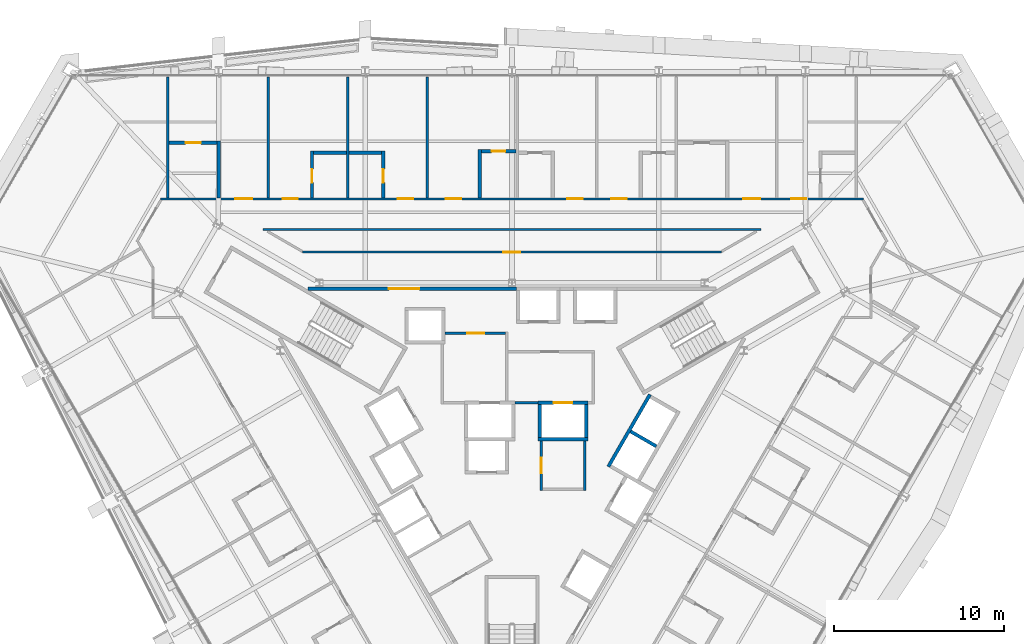
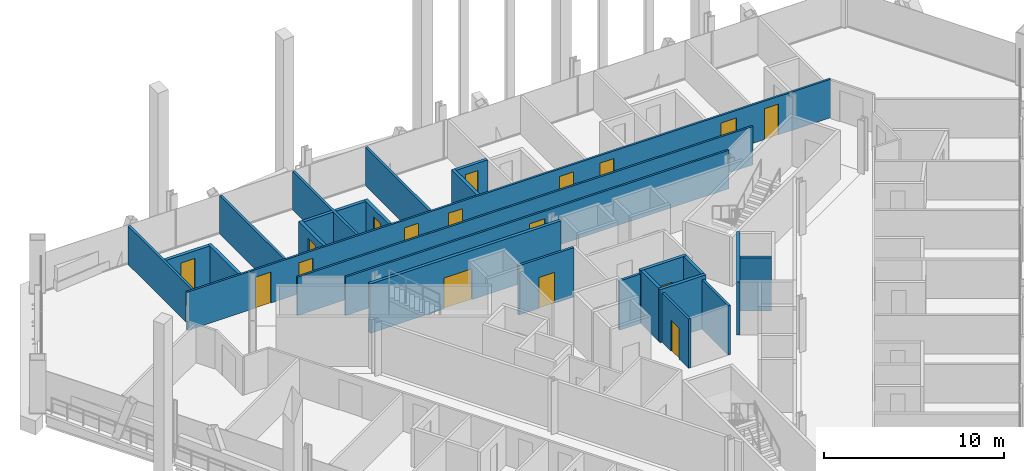
# One storey, part 14 of 19: 26 walls, 17 doors, 17 openings.
"""IFC4 building model written with IfcOpenShell, lengths in metres."""

from ifc_helpers import new_model, si_unit, direction, frame, frame_2d, origin, place, context, subcontext, project, spatial, rectangle, extrude, material, layer, layer_set, type_object, element, fill, save


model = new_model("IFC4")

# Units and contexts
model_context = context("Model", 3, precision=1e-05, world=origin(), true_north=direction((0.0, 1.0)))
body_context = subcontext(model_context, "Body", "Model", "MODEL_VIEW")
ifc_project = project(units=[si_unit("LENGTHUNIT", "METRE"), si_unit("AREAUNIT", "SQUARE_METRE"), si_unit("VOLUMEUNIT", "CUBIC_METRE"), si_unit("PLANEANGLEUNIT", "RADIAN"), si_unit("MASSUNIT", "GRAM", prefix="KILO")], contexts=[model_context])

# Site, building, storey
site_placement = place(None, origin())
site = spatial("IfcSite", under=ifc_project, at=site_placement, CompositionType="ELEMENT")
building_placement = place(site_placement, origin())
building = spatial("IfcBuilding", under=site, at=building_placement, Name="Verrane Prism Tower", CompositionType="ELEMENT")
storey_placement = place(building_placement, frame((0.0, 0.0, 76.39990234375)))
storey = spatial("IfcBuildingStorey", under=building, at=storey_placement, Name="L17", CompositionType="ELEMENT", Elevation=76.39990234375)

# Wall, opening, door
ifc_material_1 = material(Name="Gypsum board partition", Category="other")
ifc_layer_1 = layer(ifc_material_1, 0.199951171875)
ifc_layer_set_1 = layer_set([ifc_layer_1], Name="CW-200 core boundary wall 2 h")
wall_type_1 = type_object("IfcWallType", Name="CW-200 core boundary wall 2 h", PredefinedType="PARTITIONING", material=ifc_layer_set_1)
wall_1_placement = place(storey_placement, frame((0.262939453125, 8.860107421875, 0.0), z_axis=(0.0, 0.0, 1.0), x_axis=(-1.0, 0.0, 0.0)))
wall_1 = element("IfcWall", 1, at=wall_1_placement, inside=storey, type_object=wall_type_1, Name="Core boundary wall CW3-002", PredefinedType="PARTITIONING", context=body_context, shape_type="SweptSolid", body=[
    extrude(rectangle(XDim=12.25390625, YDim=0.199951171875, at=frame_2d((6.126953125, 0.0))), origin(), (0.0, 0.0, 1.0), 3.35009765625),
])
opening_1_placement = place(wall_1_placement, frame((5.708984375, 0.0, 0.0)))
opening_1 = element("IfcOpeningElement", 2, at=opening_1_placement, cuts=wall_1, Name="Opening D17511", PredefinedType="OPENING", context=body_context, shape_type="SweptSolid", body=[
    extrude(rectangle(XDim=1.800048828125, YDim=2.10009765625, at=frame_2d((0.89990234375, 1.050048828125))), frame((0.0, 0.10986328125, 0.0), z_axis=(0.0, -1.0, 0.0), x_axis=(1.0, 0.0, 0.0)), (0.0, 0.0, 1.0), 0.219970703125),
])
ifc_material_2 = material(Name="Timber veneered door leaf", Category="wood")
door_type_1 = type_object("IfcDoorType", Name="DR-1800x2100 FD60 double leaf lift lobby", OperationType="NOTDEFINED", PredefinedType="DOOR", material=ifc_material_2)
door_1_placement = place(opening_1_placement, origin())
door_1 = element("IfcDoor", 3, at=door_1_placement, inside=storey, type_object=door_type_1, Name="Lift lobby door D17511", OperationType="DOUBLE_DOOR_SINGLE_SWING", OverallHeight=2.10009765625, OverallWidth=1.800048828125, PredefinedType="DOOR", context=body_context, shape_type="SweptSolid", body=[
    extrude(rectangle(XDim=1.800048828125, YDim=2.10009765625, at=frame_2d((0.89990234375, 1.050048828125))), frame((0.0, 0.02490234375, 0.0), z_axis=(0.0, -1.0, 0.0), x_axis=(1.0, 0.0, 0.0)), (0.0, 0.0, 1.0), 0.050048828125),
])
fill(opening_1, door_1)

# Wall
ifc_material_3 = material(Name="Gypsum board shaft wall assembly", Category="other")
ifc_layer_2 = layer(ifc_material_3, 0.199951171875)
ifc_layer_set_2 = layer_set([ifc_layer_2], Name="HW-200 lift shaft wall 2 h")
wall_type_2 = type_object("IfcWallType", Name="HW-200 lift shaft wall 2 h", PredefinedType="PARTITIONING", material=ifc_layer_set_2)
wall_2_placement = place(storey_placement, frame((1.52490234375, 0.0, 0.0), z_axis=(0.0, 0.0, 1.0), x_axis=(1.0, 0.0, 0.0)))
element("IfcWall", 4, at=wall_2_placement, inside=storey, type_object=wall_type_2, Name="Lift shaft wall", PredefinedType="PARTITIONING", context=body_context, shape_type="SweptSolid", body=[
    extrude(rectangle(XDim=2.9501953125, YDim=0.199951171875, at=frame_2d((1.47509765625, 0.0))), origin(), (0.0, 0.0, 1.0), 3.60009765625),
])

# Wall, opening, door
wall_3_placement = place(storey_placement, frame((1.52490234375, 2.14990234375, 0.0), z_axis=(0.0, 0.0, 1.0), x_axis=(1.0, 0.0, 0.0)))
wall_3 = element("IfcWall", 5, at=wall_3_placement, inside=storey, type_object=wall_type_2, Name="Lift shaft wall", PredefinedType="PARTITIONING", context=body_context, shape_type="SweptSolid", body=[
    extrude(rectangle(XDim=2.9501953125, YDim=0.199951171875, at=frame_2d((1.47509765625, 0.0))), origin(), (0.0, 0.0, 1.0), 3.60009765625),
])
opening_2_placement = place(wall_3_placement, frame((0.925048828125, 0.0, 0.0)))
opening_2 = element("IfcOpeningElement", 6, at=opening_2_placement, cuts=wall_3, Name="Opening D17509", PredefinedType="OPENING", context=body_context, shape_type="SweptSolid", body=[
    extrude(rectangle(XDim=1.10009765625, YDim=2.10009765625, at=frame_2d((0.550048828125, 1.050048828125))), frame((0.0, 0.10986328125, 0.0), z_axis=(0.0, -1.0, 0.0), x_axis=(1.0, 0.0, 0.0)), (0.0, 0.0, 1.0), 0.219970703125),
])
ifc_material_4 = material(Name="Stainless steel sliding landing door", Category="steel")
door_type_2 = type_object("IfcDoorType", Name="LD-1100x2100 lift landing door FD90 sliding", OperationType="NOTDEFINED", PredefinedType="DOOR", material=ifc_material_4)
door_2_placement = place(opening_2_placement, origin())
door_2 = element("IfcDoor", 7, at=door_2_placement, inside=storey, type_object=door_type_2, Name="Fire service lift 2 landing door", OperationType="SLIDING_TO_RIGHT", OverallHeight=2.10009765625, OverallWidth=1.10009765625, PredefinedType="DOOR", context=body_context, shape_type="SweptSolid", body=[
    extrude(rectangle(XDim=1.10009765625, YDim=2.10009765625, at=frame_2d((0.550048828125, 1.050048828125))), frame((0.0, 0.02490234375, 0.0), z_axis=(0.0, -1.0, 0.0), x_axis=(1.0, 0.0, 0.0)), (0.0, 0.0, 1.0), 0.050048828125),
])
fill(opening_2, door_2)

# Walls
wall_4_placement = place(storey_placement, frame((5.66259765625, -1.6123046875, 0.0), z_axis=(0.0, 0.0, 1.0), x_axis=(0.49998122708, 0.866036242063, 0.0)))
element("IfcWall", 8, at=wall_4_placement, inside=storey, type_object=wall_type_2, Name="Lift shaft wall", PredefinedType="PARTITIONING", context=body_context, shape_type="SweptSolid", body=[
    extrude(rectangle(XDim=4.900146484375, YDim=0.199951171875, at=frame_2d((2.4501953125, 0.0))), origin(), (0.0, 0.0, 1.0), 3.60009765625),
])
for number, where, z_axis, x_axis, name in (
    (9, (4.375, 0.10009765625, 0.0), (0.0, 0.0, 1.0), (0.0, 1.0, 0.0), "Lift shaft wall"),
    (10, (1.625, 0.10009765625, 0.0), (0.0, 0.0, 1.0), (0.0, 1.0, 0.0), "Lift shaft wall"),
):
    element("IfcWall", number, at=place(storey_placement, frame(where, z_axis=z_axis, x_axis=x_axis)), inside=storey, type_object=wall_type_2, Name=name, PredefinedType="PARTITIONING", context=body_context, shape_type="SweptSolid", body=[
        extrude(rectangle(XDim=1.949951171875, YDim=0.199951171875, at=frame_2d((0.97509765625, 0.0))), origin(), (0.0, 0.0, 1.0), 3.60009765625),
    ])
wall_5_placement = place(storey_placement, frame((8.48974609375, -0.41552734375, 0.0), z_axis=(0.0, 0.0, 1.0), x_axis=(-0.866036909293, 0.499980071345, 0.0)))
element("IfcWall", 11, at=wall_5_placement, inside=storey, type_object=wall_type_2, Name="Lift shaft wall", PredefinedType="PARTITIONING", context=body_context, shape_type="SweptSolid", body=[
    extrude(rectangle(XDim=1.75, YDim=0.199951171875, at=frame_2d((0.875, 0.0))), origin(), (0.0, 0.0, 1.0), 3.60009765625),
])

# Wall, opening, door
ifc_material_5 = material(Name="Gypsum board partition", Category="other")
ifc_layer_3 = layer(ifc_material_5, 0.14990234375)
ifc_layer_set_3 = layer_set([ifc_layer_3], Name="LF-150 firefighting lobby wall 1 h")
wall_type_3 = type_object("IfcWallType", Name="LF-150 firefighting lobby wall 1 h", PredefinedType="PARTITIONING", material=ifc_layer_set_3)
wall_6_placement = place(storey_placement, frame((-3.93310546875, 6.239990234375, 0.0), z_axis=(0.0, 0.0, 1.0), x_axis=(1.0, 0.0, 0.0)))
wall_6 = element("IfcWall", 12, at=wall_6_placement, inside=storey, type_object=wall_type_3, Name="Firefighting lobby wall LF1-003", PredefinedType="PARTITIONING", context=body_context, shape_type="SweptSolid", body=[
    extrude(rectangle(XDim=3.5380859375, YDim=0.14990234375, at=frame_2d((1.76904296875, 0.0))), origin(), (0.0, 0.0, 1.0), 3.35009765625),
])
opening_3_placement = place(wall_6_placement, frame((1.300048828125, 0.0, 0.0)))
opening_3 = element("IfcOpeningElement", 13, at=opening_3_placement, cuts=wall_6, Name="Opening D17515", PredefinedType="OPENING", context=body_context, shape_type="SweptSolid", body=[
    extrude(rectangle(XDim=1.0, YDim=2.10009765625, at=frame_2d((0.5, 1.050048828125))), frame((0.0, 0.0849609375, 0.0), z_axis=(0.0, -1.0, 0.0), x_axis=(1.0, 0.0, 0.0)), (0.0, 0.0, 1.0), 0.169921875),
])
ifc_material_6 = material(Name="Timber veneered door leaf", Category="wood")
door_type_3 = type_object("IfcDoorType", Name="DR-1000x2100 FD60 single leaf firefighting lobby", OperationType="NOTDEFINED", PredefinedType="DOOR", material=ifc_material_6)
door_3_placement = place(opening_3_placement, origin())
door_3 = element("IfcDoor", 14, at=door_3_placement, inside=storey, type_object=door_type_3, Name="Firefighting lobby door D17515", OperationType="SINGLE_SWING_LEFT", OverallHeight=2.10009765625, OverallWidth=1.0, PredefinedType="DOOR", context=body_context, shape_type="SweptSolid", body=[
    extrude(rectangle(XDim=1.0, YDim=2.10009765625, at=frame_2d((0.5, 1.050048828125))), frame((0.0, 0.02490234375, 0.0), z_axis=(0.0, -1.0, 0.0), x_axis=(1.0, 0.0, 0.0)), (0.0, 0.0, 1.0), 0.050048828125),
])
fill(opening_3, door_3)

# Wall
wall_7_placement = place(storey_placement, frame((0.1669921875, 2.159912109375, 0.0), z_axis=(0.0, 0.0, 1.0), x_axis=(1.0, 0.0, 0.0)))
element("IfcWall", 15, at=wall_7_placement, inside=storey, type_object=wall_type_3, Name="Firefighting lobby wall LF1-006", PredefinedType="PARTITIONING", context=body_context, shape_type="SweptSolid", body=[
    extrude(rectangle(XDim=1.35595703125, YDim=0.14990234375, at=frame_2d((0.677978515625, 0.0))), origin(), (0.0, 0.0, 1.0), 3.35009765625),
])

# Wall, openings, doors
ifc_material_7 = material(Name="Gypsum board partition", Category="other")
ifc_layer_4 = layer(ifc_material_7, 0.125)
ifc_layer_set_4 = layer_set([ifc_layer_4], Name="PW-125 corridor wall 1 h")
wall_type_4 = type_object("IfcWallType", Name="PW-125 corridor wall 1 h", PredefinedType="PARTITIONING", material=ifc_layer_set_4)
wall_8_placement = place(storey_placement, frame((-20.66259765625, 14.136962890625, 0.0), z_axis=(0.0, 0.0, 1.0), x_axis=(1.0, 0.0, 0.0)))
wall_8 = element("IfcWall", 16, at=wall_8_placement, inside=storey, type_object=wall_type_4, Name="Corridor wall 008", PredefinedType="PARTITIONING", context=body_context, shape_type="SweptSolid", body=[
    extrude(rectangle(XDim=41.3251953125, YDim=0.125, at=frame_2d((20.66259765625, 0.0))), origin(), (0.0, 0.0, 1.0), 2.613037109375),
])
opening_4_placement = place(wall_8_placement, frame((37.070556640625, 0.0, 0.0)))
opening_4 = element("IfcOpeningElement", 17, at=opening_4_placement, cuts=wall_8, Name="Opening D17018", PredefinedType="OPENING", context=body_context, shape_type="SweptSolid", body=[
    extrude(rectangle(XDim=0.89990234375, YDim=2.10009765625, at=frame_2d((0.449951171875, 1.050048828125))), frame((0.0, 0.072509765625, 0.0), z_axis=(0.0, -1.0, 0.0), x_axis=(1.0, 0.0, 0.0)), (0.0, 0.0, 1.0), 0.14501953125),
])
opening_5_placement = place(wall_8_placement, frame((34.2724609375, 0.0, 0.0)))
opening_5 = element("IfcOpeningElement", 18, at=opening_5_placement, cuts=wall_8, Name="Opening D17020", PredefinedType="OPENING", context=body_context, shape_type="SweptSolid", body=[
    extrude(rectangle(XDim=1.0, YDim=2.10009765625, at=frame_2d((0.5, 1.050048828125))), frame((0.0, 0.072509765625, 0.0), z_axis=(0.0, -1.0, 0.0), x_axis=(1.0, 0.0, 0.0)), (0.0, 0.0, 1.0), 0.14501953125),
])
opening_6_placement = place(wall_8_placement, frame((26.49560546875, 0.0, 0.0)))
opening_6 = element("IfcOpeningElement", 19, at=opening_6_placement, cuts=wall_8, Name="Opening D17022", PredefinedType="OPENING", context=body_context, shape_type="SweptSolid", body=[
    extrude(rectangle(XDim=0.89990234375, YDim=2.10009765625, at=frame_2d((0.449951171875, 1.050048828125))), frame((0.0, 0.072509765625, 0.0), z_axis=(0.0, -1.0, 0.0), x_axis=(1.0, 0.0, 0.0)), (0.0, 0.0, 1.0), 0.14501953125),
])
opening_7_placement = place(wall_8_placement, frame((23.91748046875, 0.0, 0.0)))
opening_7 = element("IfcOpeningElement", 20, at=opening_7_placement, cuts=wall_8, Name="Opening D17024", PredefinedType="OPENING", context=body_context, shape_type="SweptSolid", body=[
    extrude(rectangle(XDim=0.89990234375, YDim=2.10009765625, at=frame_2d((0.449951171875, 1.050048828125))), frame((0.0, 0.072509765625, 0.0), z_axis=(0.0, -1.0, 0.0), x_axis=(1.0, 0.0, 0.0)), (0.0, 0.0, 1.0), 0.14501953125),
])
opening_8_placement = place(wall_8_placement, frame((16.779541015625, 0.0, 0.0)))
opening_8 = element("IfcOpeningElement", 21, at=opening_8_placement, cuts=wall_8, Name="Opening D17026", PredefinedType="OPENING", context=body_context, shape_type="SweptSolid", body=[
    extrude(rectangle(XDim=0.89990234375, YDim=2.10009765625, at=frame_2d((0.449951171875, 1.050048828125))), frame((0.0, 0.072509765625, 0.0), z_axis=(0.0, -1.0, 0.0), x_axis=(1.0, 0.0, 0.0)), (0.0, 0.0, 1.0), 0.14501953125),
])
opening_9_placement = place(wall_8_placement, frame((13.952392578125, 0.0, 0.0)))
opening_9 = element("IfcOpeningElement", 22, at=opening_9_placement, cuts=wall_8, Name="Opening D17028", PredefinedType="OPENING", context=body_context, shape_type="SweptSolid", body=[
    extrude(rectangle(XDim=0.89990234375, YDim=2.10009765625, at=frame_2d((0.449951171875, 1.050048828125))), frame((0.0, 0.072509765625, 0.0), z_axis=(0.0, -1.0, 0.0), x_axis=(1.0, 0.0, 0.0)), (0.0, 0.0, 1.0), 0.14501953125),
])
opening_10_placement = place(wall_8_placement, frame((7.174560546875, 0.0, 0.0)))
opening_10 = element("IfcOpeningElement", 23, at=opening_10_placement, cuts=wall_8, Name="Opening D17030", PredefinedType="OPENING", context=body_context, shape_type="SweptSolid", body=[
    extrude(rectangle(XDim=0.89990234375, YDim=2.10009765625, at=frame_2d((0.449951171875, 1.050048828125))), frame((0.0, 0.072509765625, 0.0), z_axis=(0.0, -1.0, 0.0), x_axis=(1.0, 0.0, 0.0)), (0.0, 0.0, 1.0), 0.14501953125),
])
opening_11_placement = place(wall_8_placement, frame((4.37646484375, 0.0, 0.0)))
opening_11 = element("IfcOpeningElement", 24, at=opening_11_placement, cuts=wall_8, Name="Opening D17032", PredefinedType="OPENING", context=body_context, shape_type="SweptSolid", body=[
    extrude(rectangle(XDim=1.0, YDim=2.10009765625, at=frame_2d((0.5, 1.050048828125))), frame((0.0, 0.072509765625, 0.0), z_axis=(0.0, -1.0, 0.0), x_axis=(1.0, 0.0, 0.0)), (0.0, 0.0, 1.0), 0.14501953125),
])
ifc_material_8 = material(Name="Timber veneered door leaf", Category="wood")
door_type_4 = type_object("IfcDoorType", Name="DR-1000x2100 FD20 single leaf unit", OperationType="NOTDEFINED", PredefinedType="DOOR", material=ifc_material_8)
door_4_placement = place(opening_5_placement, origin())
door_4 = element("IfcDoor", 25, at=door_4_placement, inside=storey, type_object=door_type_4, Name="Accessible Guest Room door", OperationType="SINGLE_SWING_RIGHT", OverallHeight=2.10009765625, OverallWidth=1.0, PredefinedType="DOOR", context=body_context, shape_type="SweptSolid", body=[
    extrude(rectangle(XDim=1.0, YDim=2.10009765625, at=frame_2d((0.5, 1.050048828125))), frame((0.0, 0.02490234375, 0.0), z_axis=(0.0, -1.0, 0.0), x_axis=(1.0, 0.0, 0.0)), (0.0, 0.0, 1.0), 0.050048828125),
])
fill(opening_5, door_4)
door_5_placement = place(opening_11_placement, origin())
door_5 = element("IfcDoor", 26, at=door_5_placement, inside=storey, type_object=door_type_4, Name="Accessible Guest Room door", OperationType="SINGLE_SWING_RIGHT", OverallHeight=2.10009765625, OverallWidth=1.0, PredefinedType="DOOR", context=body_context, shape_type="SweptSolid", body=[
    extrude(rectangle(XDim=1.0, YDim=2.10009765625, at=frame_2d((0.5, 1.050048828125))), frame((0.0, 0.02490234375, 0.0), z_axis=(0.0, -1.0, 0.0), x_axis=(1.0, 0.0, 0.0)), (0.0, 0.0, 1.0), 0.050048828125),
])
fill(opening_11, door_5)
ifc_material_9 = material(Name="Timber veneered door leaf", Category="wood")
door_type_5 = type_object("IfcDoorType", Name="DR-900x2100 FD20 single leaf unit", OperationType="NOTDEFINED", PredefinedType="DOOR", material=ifc_material_9)
door_6_placement = place(opening_4_placement, origin())
door_6 = element("IfcDoor", 27, at=door_6_placement, inside=storey, type_object=door_type_5, Name="Guest Room door", OperationType="SINGLE_SWING_RIGHT", OverallHeight=2.10009765625, OverallWidth=0.89990234375, PredefinedType="DOOR", context=body_context, shape_type="SweptSolid", body=[
    extrude(rectangle(XDim=0.89990234375, YDim=2.10009765625, at=frame_2d((0.449951171875, 1.050048828125))), frame((0.0, 0.02490234375, 0.0), z_axis=(0.0, -1.0, 0.0), x_axis=(1.0, 0.0, 0.0)), (0.0, 0.0, 1.0), 0.050048828125),
])
fill(opening_4, door_6)
door_7_placement = place(opening_6_placement, origin())
door_7 = element("IfcDoor", 28, at=door_7_placement, inside=storey, type_object=door_type_5, Name="Guest Room door", OperationType="SINGLE_SWING_RIGHT", OverallHeight=2.10009765625, OverallWidth=0.89990234375, PredefinedType="DOOR", context=body_context, shape_type="SweptSolid", body=[
    extrude(rectangle(XDim=0.89990234375, YDim=2.10009765625, at=frame_2d((0.449951171875, 1.050048828125))), frame((0.0, 0.02490234375, 0.0), z_axis=(0.0, -1.0, 0.0), x_axis=(1.0, 0.0, 0.0)), (0.0, 0.0, 1.0), 0.050048828125),
])
fill(opening_6, door_7)
door_8_placement = place(opening_7_placement, origin())
door_8 = element("IfcDoor", 29, at=door_8_placement, inside=storey, type_object=door_type_5, Name="Guest Room door", OperationType="SINGLE_SWING_RIGHT", OverallHeight=2.10009765625, OverallWidth=0.89990234375, PredefinedType="DOOR", context=body_context, shape_type="SweptSolid", body=[
    extrude(rectangle(XDim=0.89990234375, YDim=2.10009765625, at=frame_2d((0.449951171875, 1.050048828125))), frame((0.0, 0.02490234375, 0.0), z_axis=(0.0, -1.0, 0.0), x_axis=(1.0, 0.0, 0.0)), (0.0, 0.0, 1.0), 0.050048828125),
])
fill(opening_7, door_8)
door_9_placement = place(opening_8_placement, origin())
door_9 = element("IfcDoor", 30, at=door_9_placement, inside=storey, type_object=door_type_5, Name="Guest Room door", OperationType="SINGLE_SWING_RIGHT", OverallHeight=2.10009765625, OverallWidth=0.89990234375, PredefinedType="DOOR", context=body_context, shape_type="SweptSolid", body=[
    extrude(rectangle(XDim=0.89990234375, YDim=2.10009765625, at=frame_2d((0.449951171875, 1.050048828125))), frame((0.0, 0.02490234375, 0.0), z_axis=(0.0, -1.0, 0.0), x_axis=(1.0, 0.0, 0.0)), (0.0, 0.0, 1.0), 0.050048828125),
])
fill(opening_8, door_9)
door_10_placement = place(opening_9_placement, origin())
door_10 = element("IfcDoor", 31, at=door_10_placement, inside=storey, type_object=door_type_5, Name="Guest Room door", OperationType="SINGLE_SWING_RIGHT", OverallHeight=2.10009765625, OverallWidth=0.89990234375, PredefinedType="DOOR", context=body_context, shape_type="SweptSolid", body=[
    extrude(rectangle(XDim=0.89990234375, YDim=2.10009765625, at=frame_2d((0.449951171875, 1.050048828125))), frame((0.0, 0.02490234375, 0.0), z_axis=(0.0, -1.0, 0.0), x_axis=(1.0, 0.0, 0.0)), (0.0, 0.0, 1.0), 0.050048828125),
])
fill(opening_9, door_10)
door_11_placement = place(opening_10_placement, origin())
door_11 = element("IfcDoor", 32, at=door_11_placement, inside=storey, type_object=door_type_5, Name="Guest Room door", OperationType="SINGLE_SWING_RIGHT", OverallHeight=2.10009765625, OverallWidth=0.89990234375, PredefinedType="DOOR", context=body_context, shape_type="SweptSolid", body=[
    extrude(rectangle(XDim=0.89990234375, YDim=2.10009765625, at=frame_2d((0.449951171875, 1.050048828125))), frame((0.0, 0.02490234375, 0.0), z_axis=(0.0, -1.0, 0.0), x_axis=(1.0, 0.0, 0.0)), (0.0, 0.0, 1.0), 0.050048828125),
])
fill(opening_10, door_11)

# Wall
wall_9_placement = place(storey_placement, frame((-14.631591796875, 12.3369140625, 0.0), z_axis=(0.0, 0.0, 1.0), x_axis=(1.0, 0.0, 0.0)))
element("IfcWall", 33, at=wall_9_placement, inside=storey, type_object=wall_type_4, Name="Corridor wall 020", PredefinedType="PARTITIONING", context=body_context, shape_type="SweptSolid", body=[
    extrude(rectangle(XDim=29.26318359375, YDim=0.125, at=frame_2d((14.631591796875, 0.0))), origin(), (0.0, 0.0, 1.0), 2.613037109375),
])

# Wall, opening, door
wall_10_placement = place(storey_placement, frame((-12.3154296875, 11.0, 0.0), z_axis=(0.0, 0.0, 1.0), x_axis=(1.0, 0.0, 0.0)))
wall_10 = element("IfcWall", 34, at=wall_10_placement, inside=storey, type_object=wall_type_4, Name="Corridor wall 024", PredefinedType="PARTITIONING", context=body_context, shape_type="SweptSolid", body=[
    extrude(rectangle(XDim=24.630859375, YDim=0.125, at=frame_2d((12.3154296875, 0.0))), origin(), (0.0, 0.0, 1.0), 2.613037109375),
])
opening_12_placement = place(wall_10_placement, frame((11.8125, 0.0, 0.0)))
opening_12 = element("IfcOpeningElement", 35, at=opening_12_placement, cuts=wall_10, Name="Opening D17050", PredefinedType="OPENING", context=body_context, shape_type="SweptSolid", body=[
    extrude(rectangle(XDim=1.0, YDim=2.10009765625, at=frame_2d((0.5, 1.050048828125))), frame((0.0, 0.072509765625, 0.0), z_axis=(0.0, -1.0, 0.0), x_axis=(1.0, 0.0, 0.0)), (0.0, 0.0, 1.0), 0.14501953125),
])
ifc_material_10 = material(Name="Timber veneered door leaf", Category="wood")
door_type_6 = type_object("IfcDoorType", Name="DR-1000x2100 FD20 single leaf service", OperationType="NOTDEFINED", PredefinedType="DOOR", material=ifc_material_10)
door_12_placement = place(opening_12_placement, origin())
door_12 = element("IfcDoor", 36, at=door_12_placement, inside=storey, type_object=door_type_6, Name="Meeting Store door", OperationType="SINGLE_SWING_RIGHT", OverallHeight=2.10009765625, OverallWidth=1.0, PredefinedType="DOOR", context=body_context, shape_type="SweptSolid", body=[
    extrude(rectangle(XDim=1.0, YDim=2.10009765625, at=frame_2d((0.5, 1.050048828125))), frame((0.0, 0.02490234375, 0.0), z_axis=(0.0, -1.0, 0.0), x_axis=(1.0, 0.0, 0.0)), (0.0, 0.0, 1.0), 0.050048828125),
])
fill(opening_12, door_12)

# Walls
ifc_material_11 = material(Name="Gypsum board partition", Category="other")
ifc_layer_5 = layer(ifc_material_11, 0.14990234375)
ifc_layer_set_5 = layer_set([ifc_layer_5], Name="PW-150 demising wall 1 h")
wall_type_5 = type_object("IfcWallType", Name="PW-150 demising wall 1 h", PredefinedType="PARTITIONING", material=ifc_layer_set_5)
for number, where, z_axis, x_axis, name in (
    (37, (-20.236083984375, 14.199462890625, 0.0), (0.0, 0.0, 1.0), (0.0, 1.0, 0.0), "Demising wall 009"),
    (38, (-14.337890625, 14.199462890625, 0.0), (0.0, 0.0, 1.0), (0.0, 1.0, 0.0), "Demising wall 021"),
    (39, (-9.659912109375, 14.199462890625, 0.0), (0.0, 0.0, 1.0), (0.0, 1.0, 0.0), "Demising wall 031"),
    (40, (-4.98291015625, 14.199462890625, 0.0), (0.0, 0.0, 1.0), (0.0, 1.0, 0.0), "Demising wall 040"),
):
    element("IfcWall", number, at=place(storey_placement, frame(where, z_axis=z_axis, x_axis=x_axis)), inside=storey, type_object=wall_type_5, Name=name, PredefinedType="PARTITIONING", context=body_context, shape_type="SweptSolid", body=[
        extrude(rectangle(XDim=7.095458984375, YDim=0.14990234375, at=frame_2d((3.5478515625, 0.0))), origin(), (0.0, 0.0, 1.0), 2.613037109375),
    ])

# Wall, opening, door
ifc_material_12 = material(Name="Gypsum board partition", Category="other")
ifc_layer_6 = layer(ifc_material_12, 0.199951171875)
ifc_layer_set_6 = layer_set([ifc_layer_6], Name="PW-200 plumbing wall")
wall_type_6 = type_object("IfcWallType", Name="PW-200 plumbing wall", PredefinedType="PARTITIONING", material=ifc_layer_set_6)
wall_11_placement = place(storey_placement, frame((-17.3359375, 17.43701171875, 0.0), z_axis=(0.0, 0.0, 1.0), x_axis=(-1.0, 0.0, 0.0)))
wall_11 = element("IfcWall", 41, at=wall_11_placement, inside=storey, type_object=wall_type_6, Name="Plumbing wall 010", PredefinedType="PARTITIONING", context=body_context, shape_type="SweptSolid", body=[
    extrude(rectangle(XDim=2.824951171875, YDim=0.199951171875, at=frame_2d((1.41259765625, 0.0))), origin(), (0.0, 0.0, 1.0), 2.613037109375),
])
opening_13_placement = place(wall_11_placement, frame((0.949951171875, 0.0, 0.0)))
opening_13 = element("IfcOpeningElement", 42, at=opening_13_placement, cuts=wall_11, Name="Opening D17033", PredefinedType="OPENING", context=body_context, shape_type="SweptSolid", body=[
    extrude(rectangle(XDim=0.89990234375, YDim=2.10009765625, at=frame_2d((0.449951171875, 1.050048828125))), frame((0.0, 0.10986328125, 0.0), z_axis=(0.0, -1.0, 0.0), x_axis=(1.0, 0.0, 0.0)), (0.0, 0.0, 1.0), 0.219970703125),
])
ifc_material_13 = material(Name="Timber veneered door leaf", Category="wood")
door_type_7 = type_object("IfcDoorType", Name="DR-900x2100 single leaf bath", OperationType="NOTDEFINED", PredefinedType="DOOR", material=ifc_material_13)
door_13_placement = place(opening_13_placement, origin())
door_13 = element("IfcDoor", 43, at=door_13_placement, inside=storey, type_object=door_type_7, Name="En-Suite door", OperationType="SINGLE_SWING_RIGHT", OverallHeight=2.10009765625, OverallWidth=0.89990234375, PredefinedType="DOOR", context=body_context, shape_type="SweptSolid", body=[
    extrude(rectangle(XDim=0.89990234375, YDim=2.10009765625, at=frame_2d((0.449951171875, 1.050048828125))), frame((0.0, 0.02490234375, 0.0), z_axis=(0.0, -1.0, 0.0), x_axis=(1.0, 0.0, 0.0)), (0.0, 0.0, 1.0), 0.050048828125),
])
fill(opening_13, door_13)

# Wall
wall_12_placement = place(storey_placement, frame((-17.236083984375, 14.199462890625, 0.0), z_axis=(0.0, 0.0, 1.0), x_axis=(0.0, 1.0, 0.0)))
element("IfcWall", 44, at=wall_12_placement, inside=storey, type_object=wall_type_6, Name="Plumbing wall 014", PredefinedType="PARTITIONING", context=body_context, shape_type="SweptSolid", body=[
    extrude(rectangle(XDim=3.337646484375, YDim=0.199951171875, at=frame_2d((1.6689453125, 0.0))), origin(), (0.0, 0.0, 1.0), 2.613037109375),
])

# Wall, opening, door
wall_13_placement = place(storey_placement, frame((-11.760009765625, 16.93701171875, 0.0), z_axis=(0.0, 0.0, 1.0), x_axis=(0.0, -1.0, 0.0)))
wall_13 = element("IfcWall", 45, at=wall_13_placement, inside=storey, type_object=wall_type_6, Name="Plumbing wall 025", PredefinedType="PARTITIONING", context=body_context, shape_type="SweptSolid", body=[
    extrude(rectangle(XDim=2.737548828125, YDim=0.199951171875, at=frame_2d((1.36865234375, 0.0))), origin(), (0.0, 0.0, 1.0), 2.613037109375),
])
opening_14_placement = place(wall_13_placement, frame((1.050048828125, 0.0, 0.0)))
opening_14 = element("IfcOpeningElement", 46, at=opening_14_placement, cuts=wall_13, Name="Opening D17031", PredefinedType="OPENING", context=body_context, shape_type="SweptSolid", body=[
    extrude(rectangle(XDim=0.800048828125, YDim=2.10009765625, at=frame_2d((0.39990234375, 1.050048828125))), frame((0.0, 0.10986328125, 0.0), z_axis=(0.0, -1.0, 0.0), x_axis=(1.0, 0.0, 0.0)), (0.0, 0.0, 1.0), 0.219970703125),
])
ifc_material_14 = material(Name="Timber veneered door leaf", Category="wood")
door_type_8 = type_object("IfcDoorType", Name="DR-800x2100 single leaf bath", OperationType="NOTDEFINED", PredefinedType="DOOR", material=ifc_material_14)
door_14_placement = place(opening_14_placement, origin())
door_14 = element("IfcDoor", 47, at=door_14_placement, inside=storey, type_object=door_type_8, Name="En-Suite door", OperationType="SINGLE_SWING_RIGHT", OverallHeight=2.10009765625, OverallWidth=0.800048828125, PredefinedType="DOOR", context=body_context, shape_type="SweptSolid", body=[
    extrude(rectangle(XDim=0.800048828125, YDim=2.10009765625, at=frame_2d((0.39990234375, 1.050048828125))), frame((0.0, 0.02490234375, 0.0), z_axis=(0.0, -1.0, 0.0), x_axis=(1.0, 0.0, 0.0)), (0.0, 0.0, 1.0), 0.050048828125),
])
fill(opening_14, door_14)

# Walls
wall_14_placement = place(storey_placement, frame((-11.659912109375, 16.8369140625, 0.0), z_axis=(0.0, 0.0, 1.0), x_axis=(1.0, 0.0, 0.0)))
element("IfcWall", 48, at=wall_14_placement, inside=storey, type_object=wall_type_6, Name="Plumbing wall 026", PredefinedType="PARTITIONING", context=body_context, shape_type="SweptSolid", body=[
    extrude(rectangle(XDim=1.919921875, YDim=0.199951171875, at=frame_2d((0.9599609375, 0.0))), origin(), (0.0, 0.0, 1.0), 2.613037109375),
])
wall_15_placement = place(storey_placement, frame((-9.580078125, 16.8369140625, 0.0), z_axis=(0.0, 0.0, 1.0), x_axis=(1.0, 0.0, 0.0)))
element("IfcWall", 49, at=wall_15_placement, inside=storey, type_object=wall_type_6, Name="Plumbing wall 032", PredefinedType="PARTITIONING", context=body_context, shape_type="SweptSolid", body=[
    extrude(rectangle(XDim=1.920166015625, YDim=0.199951171875, at=frame_2d((0.9599609375, 0.0))), origin(), (0.0, 0.0, 1.0), 2.613037109375),
])

# Wall, opening, door
wall_16_placement = place(storey_placement, frame((-7.56005859375, 14.199462890625, 0.0), z_axis=(0.0, 0.0, 1.0), x_axis=(0.0, 1.0, 0.0)))
wall_16 = element("IfcWall", 50, at=wall_16_placement, inside=storey, type_object=wall_type_6, Name="Plumbing wall 037", PredefinedType="PARTITIONING", context=body_context, shape_type="SweptSolid", body=[
    extrude(rectangle(XDim=2.737548828125, YDim=0.199951171875, at=frame_2d((1.36865234375, 0.0))), origin(), (0.0, 0.0, 1.0), 2.613037109375),
])
opening_15_placement = place(wall_16_placement, frame((0.887451171875, 0.0, 0.0)))
opening_15 = element("IfcOpeningElement", 51, at=opening_15_placement, cuts=wall_16, Name="Opening D17029", PredefinedType="OPENING", context=body_context, shape_type="SweptSolid", body=[
    extrude(rectangle(XDim=0.800048828125, YDim=2.10009765625, at=frame_2d((0.39990234375, 1.050048828125))), frame((0.0, 0.10986328125, 0.0), z_axis=(0.0, -1.0, 0.0), x_axis=(1.0, 0.0, 0.0)), (0.0, 0.0, 1.0), 0.219970703125),
])
door_15_placement = place(opening_15_placement, origin())
door_15 = element("IfcDoor", 52, at=door_15_placement, inside=storey, type_object=door_type_8, Name="En-Suite door", OperationType="SINGLE_SWING_LEFT", OverallHeight=2.10009765625, OverallWidth=0.800048828125, PredefinedType="DOOR", context=body_context, shape_type="SweptSolid", body=[
    extrude(rectangle(XDim=0.800048828125, YDim=2.10009765625, at=frame_2d((0.39990234375, 1.050048828125))), frame((0.0, 0.02490234375, 0.0), z_axis=(0.0, -1.0, 0.0), x_axis=(1.0, 0.0, 0.0)), (0.0, 0.0, 1.0), 0.050048828125),
])
fill(opening_15, door_15)

# Wall
wall_17_placement = place(storey_placement, frame((-1.89501953125, 14.199462890625, 0.0), z_axis=(0.0, 0.0, 1.0), x_axis=(0.0, 1.0, 0.0)))
element("IfcWall", 53, at=wall_17_placement, inside=storey, type_object=wall_type_6, Name="Plumbing wall 044", PredefinedType="PARTITIONING", context=body_context, shape_type="SweptSolid", body=[
    extrude(rectangle(XDim=2.837646484375, YDim=0.199951171875, at=frame_2d((1.4189453125, 0.0))), origin(), (0.0, 0.0, 1.0), 2.613037109375),
])

# Wall, opening, door
wall_18_placement = place(storey_placement, frame((0.22998046875, 16.93701171875, 0.0), z_axis=(0.0, 0.0, 1.0), x_axis=(-1.0, 0.0, 0.0)))
wall_18 = element("IfcWall", 54, at=wall_18_placement, inside=storey, type_object=wall_type_6, Name="Plumbing wall 045", PredefinedType="PARTITIONING", context=body_context, shape_type="SweptSolid", body=[
    extrude(rectangle(XDim=2.02490234375, YDim=0.199951171875, at=frame_2d((1.012451171875, 0.0))), origin(), (0.0, 0.0, 1.0), 2.613037109375),
])
opening_16_placement = place(wall_18_placement, frame((0.625, 0.0, 0.0)))
opening_16 = element("IfcOpeningElement", 55, at=opening_16_placement, cuts=wall_18, Name="Opening D17027", PredefinedType="OPENING", context=body_context, shape_type="SweptSolid", body=[
    extrude(rectangle(XDim=0.800048828125, YDim=2.10009765625, at=frame_2d((0.39990234375, 1.050048828125))), frame((0.0, 0.10986328125, 0.0), z_axis=(0.0, -1.0, 0.0), x_axis=(1.0, 0.0, 0.0)), (0.0, 0.0, 1.0), 0.219970703125),
])
door_16_placement = place(opening_16_placement, origin())
door_16 = element("IfcDoor", 56, at=door_16_placement, inside=storey, type_object=door_type_8, Name="En-Suite door", OperationType="SINGLE_SWING_RIGHT", OverallHeight=2.10009765625, OverallWidth=0.800048828125, PredefinedType="DOOR", context=body_context, shape_type="SweptSolid", body=[
    extrude(rectangle(XDim=0.800048828125, YDim=2.10009765625, at=frame_2d((0.39990234375, 1.050048828125))), frame((0.0, 0.02490234375, 0.0), z_axis=(0.0, -1.0, 0.0), x_axis=(1.0, 0.0, 0.0)), (0.0, 0.0, 1.0), 0.050048828125),
])
fill(opening_16, door_16)

ifc_material_15 = material(Name="Gypsum board partition", Category="other")
ifc_layer_7 = layer(ifc_material_15, 0.14990234375)
ifc_layer_set_7 = layer_set([ifc_layer_7], Name="RS-150 riser enclosure wall 1 h")
wall_type_7 = type_object("IfcWallType", Name="RS-150 riser enclosure wall 1 h", PredefinedType="PARTITIONING", material=ifc_layer_set_7)
wall_19_placement = place(storey_placement, frame((1.72509765625, -0.10205078125, 0.0), z_axis=(0.0, 0.0, 1.0), x_axis=(0.0, -1.0, 0.0)))
wall_19 = element("IfcWall", 57, at=wall_19_placement, inside=storey, type_object=wall_type_7, Name="Riser wall RS3-007", PredefinedType="PARTITIONING", context=body_context, shape_type="SweptSolid", body=[
    extrude(rectangle(XDim=2.9228515625, YDim=0.14990234375, at=frame_2d((1.46142578125, 0.0))), origin(), (0.0, 0.0, 1.0), 3.35009765625),
])
opening_17_placement = place(wall_19_placement, frame((0.998046875, 0.0, 0.0)))
opening_17 = element("IfcOpeningElement", 58, at=opening_17_placement, cuts=wall_19, Name="Opening D17518", PredefinedType="OPENING", context=body_context, shape_type="SweptSolid", body=[
    extrude(rectangle(XDim=0.89990234375, YDim=2.10009765625, at=frame_2d((0.449951171875, 1.050048828125))), frame((0.0, 0.0849609375, 0.0), z_axis=(0.0, -1.0, 0.0), x_axis=(1.0, 0.0, 0.0)), (0.0, 0.0, 1.0), 0.169921875),
])
ifc_material_16 = material(Name="Timber veneered door leaf", Category="wood")
door_type_9 = type_object("IfcDoorType", Name="DR-900x2100 FD20 single leaf store", OperationType="NOTDEFINED", PredefinedType="DOOR", material=ifc_material_16)
door_17_placement = place(opening_17_placement, origin())
door_17 = element("IfcDoor", 59, at=door_17_placement, inside=storey, type_object=door_type_9, Name="Room door D17518", OperationType="SINGLE_SWING_LEFT", OverallHeight=2.10009765625, OverallWidth=0.89990234375, PredefinedType="DOOR", context=body_context, shape_type="SweptSolid", body=[
    extrude(rectangle(XDim=0.89990234375, YDim=2.10009765625, at=frame_2d((0.449951171875, 1.050048828125))), frame((0.0, 0.02490234375, 0.0), z_axis=(0.0, -1.0, 0.0), x_axis=(1.0, 0.0, 0.0)), (0.0, 0.0, 1.0), 0.050048828125),
])
fill(opening_17, door_17)

# Wall
wall_20_placement = place(storey_placement, frame((4.27490234375, -3.02490234375, 0.0), z_axis=(0.0, 0.0, 1.0), x_axis=(0.0, 1.0, 0.0)))
element("IfcWall", 60, at=wall_20_placement, inside=storey, type_object=wall_type_7, Name="Riser wall RS3-009", PredefinedType="PARTITIONING", context=body_context, shape_type="SweptSolid", body=[
    extrude(rectangle(XDim=2.9228515625, YDim=0.14990234375, at=frame_2d((1.46142578125, 0.0))), origin(), (0.0, 0.0, 1.0), 3.35009765625),
])

save(model, "model.ifc")
